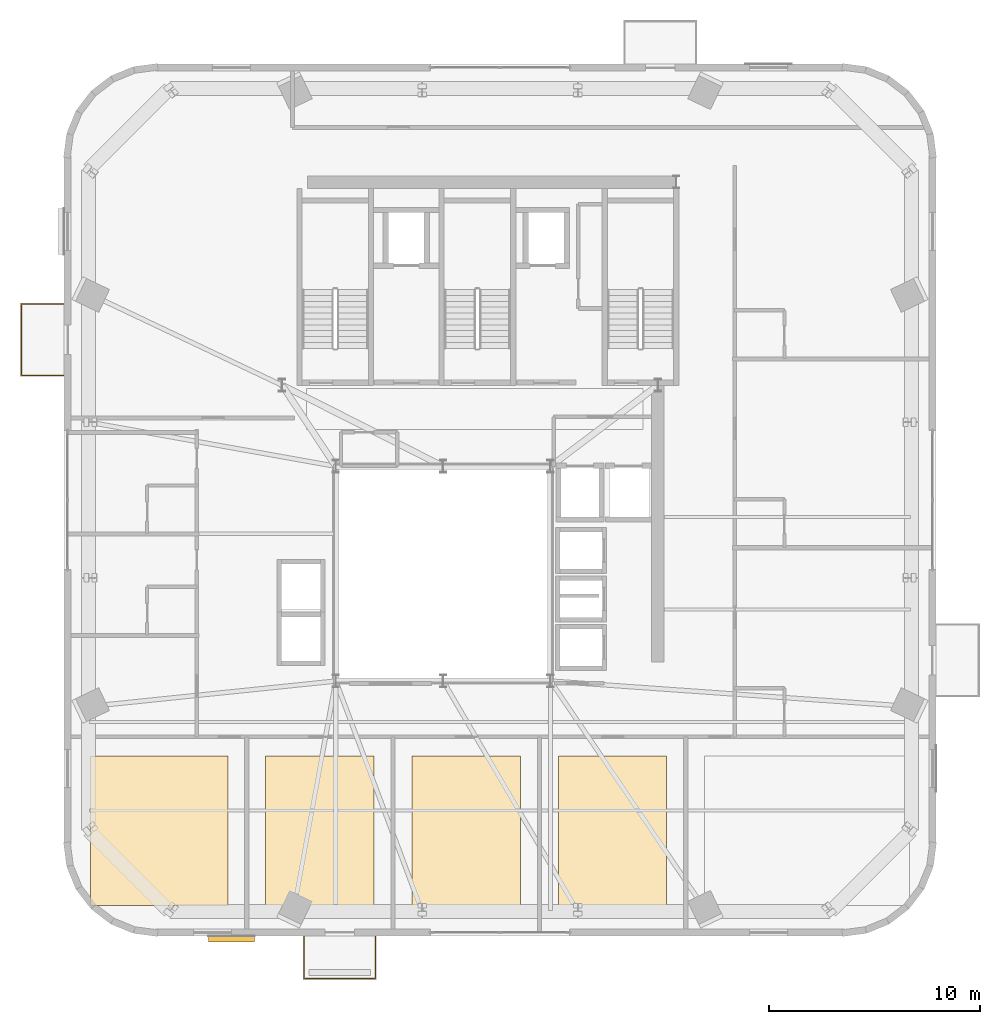
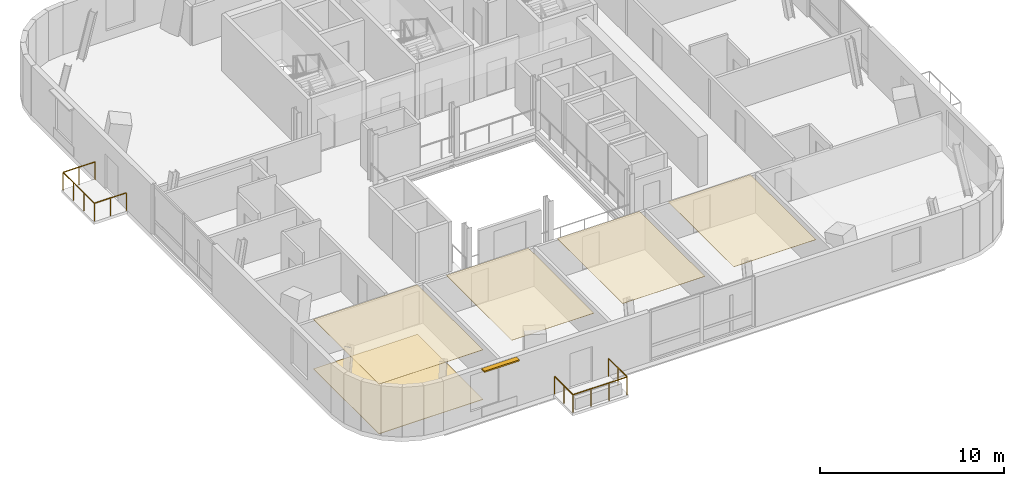
# One storey, part 10 of 13: 5 coverings, 2 railings, 1 shading device.
"""IFC4 building model written with IfcOpenShell, lengths in metres."""

from ifc_helpers import new_model, si_unit, direction, frame, origin, origin_2d, place, context, subcontext, project, spatial, polyline, rectangle, outline, extrude, source, transform, mapped, material, layer, layer_set, type_object, element, save


model = new_model("IFC4")

# Units and contexts
model_context = context("Model", 3, precision=1e-05, world=origin(), true_north=direction((0.0, 1.0)))
body_context = subcontext(model_context, "Body", "Model", "MODEL_VIEW")
ifc_project = project(units=[si_unit("LENGTHUNIT", "METRE"), si_unit("AREAUNIT", "SQUARE_METRE"), si_unit("VOLUMEUNIT", "CUBIC_METRE"), si_unit("PLANEANGLEUNIT", "RADIAN"), si_unit("MASSUNIT", "GRAM", prefix="KILO")], contexts=[model_context])

# Site, building, storey
site_placement = place(None, origin())
site = spatial("IfcSite", under=ifc_project, at=site_placement, CompositionType="ELEMENT")
building_placement = place(site_placement, origin())
building = spatial("IfcBuilding", under=site, at=building_placement, Name="Vardaveli Station Tower", CompositionType="ELEMENT")
storey_placement = place(building_placement, frame((0.0, 0.0, 274.300048828125)))
storey = spatial("IfcBuildingStorey", under=building, at=storey_placement, Name="L70", CompositionType="ELEMENT", Elevation=274.300048828125)

# Coverings
ifc_material_1 = material(Name="Perforated acoustic mineral ceiling")
ifc_layer_1 = layer(ifc_material_1, 0.02001953125, Name="Perforated acoustic mineral ceiling")
ifc_layer_set_1 = layer_set([ifc_layer_1], Name="Perforated acoustic mineral ceiling")
covering_type_1 = type_object("IfcCoveringType", Name="COV-CEIL-AC20", PredefinedType="CEILING", material=ifc_layer_set_1)
covering_1_placement = place(storey_placement, frame((0.0, 0.0, 3.284912109375)))
element("IfcCovering", 1, at=covering_1_placement, inside=storey, type_object=covering_type_1, Name="CEIL-L70-1", PredefinedType="CEILING", context=body_context, shape_type="SweptSolid", body=[
    extrude(outline(polyline([(19.550048828125, 5.949951171875), (26.070068359375, 5.949951171875), (26.070068359375, 13.050048828125), (19.550048828125, 13.050048828125), (19.550048828125, 5.949951171875)])), origin(), (0.0, 0.0, 1.0), 0.02001953125),
])
covering_2_placement = place(storey_placement, frame((0.0, 0.0, 3.284912109375)))
element("IfcCovering", 2, at=covering_2_placement, inside=storey, type_object=covering_type_1, Name="CEIL-L70-2", PredefinedType="CEILING", context=body_context, shape_type="SweptSolid", body=[
    extrude(outline(polyline([(27.8701171875, 5.949951171875), (33.02001953125, 5.949951171875), (33.02001953125, 13.050048828125), (27.8701171875, 13.050048828125), (27.8701171875, 5.949951171875)])), origin(), (0.0, 0.0, 1.0), 0.02001953125),
])
covering_3_placement = place(storey_placement, frame((0.0, 0.0, 3.284912109375)))
element("IfcCovering", 3, at=covering_3_placement, inside=storey, type_object=covering_type_1, Name="CEIL-L70-3", PredefinedType="CEILING", context=body_context, shape_type="SweptSolid", body=[
    extrude(outline(polyline([(34.820068359375, 5.949951171875), (39.969970703125, 5.949951171875), (39.969970703125, 13.050048828125), (34.820068359375, 13.050048828125), (34.820068359375, 5.949951171875)])), origin(), (0.0, 0.0, 1.0), 0.02001953125),
])
covering_4_placement = place(storey_placement, frame((0.0, 0.0, 3.284912109375)))
element("IfcCovering", 4, at=covering_4_placement, inside=storey, type_object=covering_type_1, Name="CEIL-L70-4", PredefinedType="CEILING", context=body_context, shape_type="SweptSolid", body=[
    extrude(outline(polyline([(41.77001953125, 5.949951171875), (46.919921875, 5.949951171875), (46.919921875, 13.050048828125), (41.77001953125, 13.050048828125), (41.77001953125, 5.949951171875)])), origin(), (0.0, 0.0, 1.0), 0.02001953125),
])
ifc_material_2 = material(Name="Honed Caucasian basalt and travertine flooring", Category="masonry")
ifc_layer_2 = layer(ifc_material_2, 0.030029296875, Name="Honed Caucasian basalt and travertine flooring")
ifc_layer_set_2 = layer_set([ifc_layer_2], Name="Honed Caucasian basalt and travertine flooring")
covering_type_2 = type_object("IfcCoveringType", Name="COV-FLOOR-ST30", PredefinedType="FLOORING", material=ifc_layer_set_2)
covering_5_placement = place(storey_placement, origin())
element("IfcCovering", 5, at=covering_5_placement, inside=storey, type_object=covering_type_2, Name="FLR-L70-1", PredefinedType="FLOORING", context=body_context, shape_type="SweptSolid", body=[
    extrude(outline(polyline([(19.550048828125, 5.949951171875), (26.070068359375, 5.949951171875), (26.070068359375, 13.050048828125), (19.550048828125, 13.050048828125), (19.550048828125, 5.949951171875)])), origin(), (0.0, 0.0, 1.0), 0.030029296875),
])

# Railing
ifc_material_3 = material(Name="Laminated glass and stainless steel balustrade", Category="steel")
railing_type = type_object("IfcRailingType", Name="RL-BAL-1200", PredefinedType="BALUSTRADE", material=ifc_material_3)
shared_shape_1 = source(origin(), body_context, "Body", "SweptSolid", [
    extrude(rectangle(XDim=0.048095703125, YDim=0.048095703125, at=origin_2d()), frame((0.0, 0.0, 1.17578125), z_axis=(0.0, -1.0, 0.0), x_axis=(1.0, 0.0, 0.0)), (0.0, 0.0, 1.0), 2.0),
    extrude(rectangle(XDim=0.048095703125, YDim=0.048095703125, at=origin_2d()), frame((0.0, -2.0, 1.17578125), z_axis=(1.0, 0.0, 0.0), x_axis=(0.0, 1.0, 0.0)), (0.0, 0.0, 1.0), 3.3798828125),
    extrude(rectangle(XDim=0.048095703125, YDim=0.048095703125, at=origin_2d()), frame((3.3798828125, -2.0, 1.17578125), z_axis=(0.0, 1.0, 0.0), x_axis=(-1.0, 0.0, 0.0)), (0.0, 0.0, 1.0), 2.0),
    extrude(rectangle(XDim=0.0419921875, YDim=0.0419921875, at=origin_2d()), origin(), (0.0, 0.0, 1.0), 1.15185546875),
    extrude(rectangle(XDim=0.0419921875, YDim=0.0419921875, at=origin_2d()), frame((0.0, -1.0, 0.0)), (0.0, 0.0, 1.0), 1.15185546875),
    extrude(rectangle(XDim=0.0419921875, YDim=0.0419921875, at=origin_2d()), frame((0.0, -2.0, 0.0)), (0.0, 0.0, 1.0), 1.15185546875),
    extrude(rectangle(XDim=0.0419921875, YDim=0.0419921875, at=origin_2d()), frame((1.126708984375, -2.0, 0.0)), (0.0, 0.0, 1.0), 1.15185546875),
    extrude(rectangle(XDim=0.0419921875, YDim=0.0419921875, at=origin_2d()), frame((2.253173828125, -2.0, 0.0)), (0.0, 0.0, 1.0), 1.15185546875),
    extrude(rectangle(XDim=0.0419921875, YDim=0.0419921875, at=origin_2d()), frame((3.3798828125, -2.0, 0.0)), (0.0, 0.0, 1.0), 1.15185546875),
    extrude(rectangle(XDim=0.0419921875, YDim=0.0419921875, at=origin_2d()), frame((3.3798828125, -1.0, 0.0)), (0.0, 0.0, 1.0), 1.15185546875),
    extrude(rectangle(XDim=0.0419921875, YDim=0.0419921875, at=origin_2d()), frame((3.3798828125, 0.0, 0.0)), (0.0, 0.0, 1.0), 1.15185546875),
])
railing_1_placement = place(storey_placement, frame((29.698486328125, 4.4599609375, 0.0)))
element("IfcRailing", 6, at=railing_1_placement, inside=storey, type_object=railing_type, Name="RL-LOG-L70-01", PredefinedType="BALUSTRADE", context=body_context, shape_type="MappedRepresentation", body=[
    mapped(shared_shape_1, transform((0.0, 0.0, 0.0), scale=1.0)),
])

# Shading device
ifc_material_4 = material(Name="Anodised champagne aluminium sunshade", Category="aluminium")
ifc_layer_3 = layer(ifc_material_4, 0.090087890625, Name="Anodised champagne aluminium sunshade")
ifc_layer_set_3 = layer_set([ifc_layer_3], Name="Anodised champagne aluminium sunshade")
shading_device_type = type_object("IfcShadingDeviceType", Name="SHD-SUNSHADE", PredefinedType="USERDEFINED", material=ifc_layer_set_3)
shared_shape_2 = source(origin(), body_context, "Body", "SweptSolid", [
    extrude(rectangle(XDim=2.199951171875, YDim=0.320068359375, at=origin_2d()), origin(), (0.0, 0.0, 1.0), 0.090087890625),
])
shading_device_placement = place(storey_placement, frame((26.24267578125, 4.35498046875, 3.1796875), z_axis=(0.0, 0.0, 1.0), x_axis=(1.0, 0.0, 0.0)))
element("IfcShadingDevice", 7, at=shading_device_placement, inside=storey, type_object=shading_device_type, Name="SHD-SS-L70-S", ObjectType="SUNSHADE", PredefinedType="USERDEFINED", context=body_context, shape_type="MappedRepresentation", body=[
    mapped(shared_shape_2, transform((0.0, 0.0, 0.0), scale=1.0)),
])

# Railing
shared_shape_3 = source(origin(), body_context, "Body", "SweptSolid", [
    extrude(rectangle(XDim=0.048095703125, YDim=0.048095703125, at=origin_2d()), frame((0.0, 0.0, 1.17578125), z_axis=(-1.0, 0.0, 0.0), x_axis=(0.0, -1.0, 0.0)), (0.0, 0.0, 1.0), 2.0),
    extrude(rectangle(XDim=0.048095703125, YDim=0.048095703125, at=origin_2d()), frame((-2.0, 0.0, 1.17578125), z_axis=(0.0, 1.0, 0.0), x_axis=(-1.0, 0.0, 0.0)), (0.0, 0.0, 1.0), 3.380126953125),
    extrude(rectangle(XDim=0.048095703125, YDim=0.048095703125, at=origin_2d()), frame((-2.0, 3.380126953125, 1.17578125), z_axis=(1.0, 0.0, 0.0), x_axis=(0.0, 1.0, 0.0)), (0.0, 0.0, 1.0), 2.0),
    extrude(rectangle(XDim=0.0419921875, YDim=0.0419921875, at=origin_2d()), origin(), (0.0, 0.0, 1.0), 1.15185546875),
    extrude(rectangle(XDim=0.0419921875, YDim=0.0419921875, at=origin_2d()), frame((-1.0, 0.0, 0.0)), (0.0, 0.0, 1.0), 1.15185546875),
    extrude(rectangle(XDim=0.0419921875, YDim=0.0419921875, at=origin_2d()), frame((-2.0, 0.0, 0.0)), (0.0, 0.0, 1.0), 1.15185546875),
    extrude(rectangle(XDim=0.0419921875, YDim=0.0419921875, at=origin_2d()), frame((-2.0, 1.126708984375, 0.0)), (0.0, 0.0, 1.0), 1.15185546875),
    extrude(rectangle(XDim=0.0419921875, YDim=0.0419921875, at=origin_2d()), frame((-2.0, 2.25341796875, 0.0)), (0.0, 0.0, 1.0), 1.15185546875),
    extrude(rectangle(XDim=0.0419921875, YDim=0.0419921875, at=origin_2d()), frame((-2.0, 3.380126953125, 0.0)), (0.0, 0.0, 1.0), 1.15185546875),
    extrude(rectangle(XDim=0.0419921875, YDim=0.0419921875, at=origin_2d()), frame((-1.0, 3.380126953125, 0.0)), (0.0, 0.0, 1.0), 1.15185546875),
    extrude(rectangle(XDim=0.0419921875, YDim=0.0419921875, at=origin_2d()), frame((0.0, 3.380126953125, 0.0)), (0.0, 0.0, 1.0), 1.15185546875),
])
railing_2_placement = place(storey_placement, frame((18.260009765625, 31.12158203125, 0.0)))
element("IfcRailing", 8, at=railing_2_placement, inside=storey, type_object=railing_type, Name="RL-LOG-L70-03", PredefinedType="BALUSTRADE", context=body_context, shape_type="MappedRepresentation", body=[
    mapped(shared_shape_3, transform((0.0, 0.0, 0.0), scale=1.0)),
])

save(model, "model.ifc")
